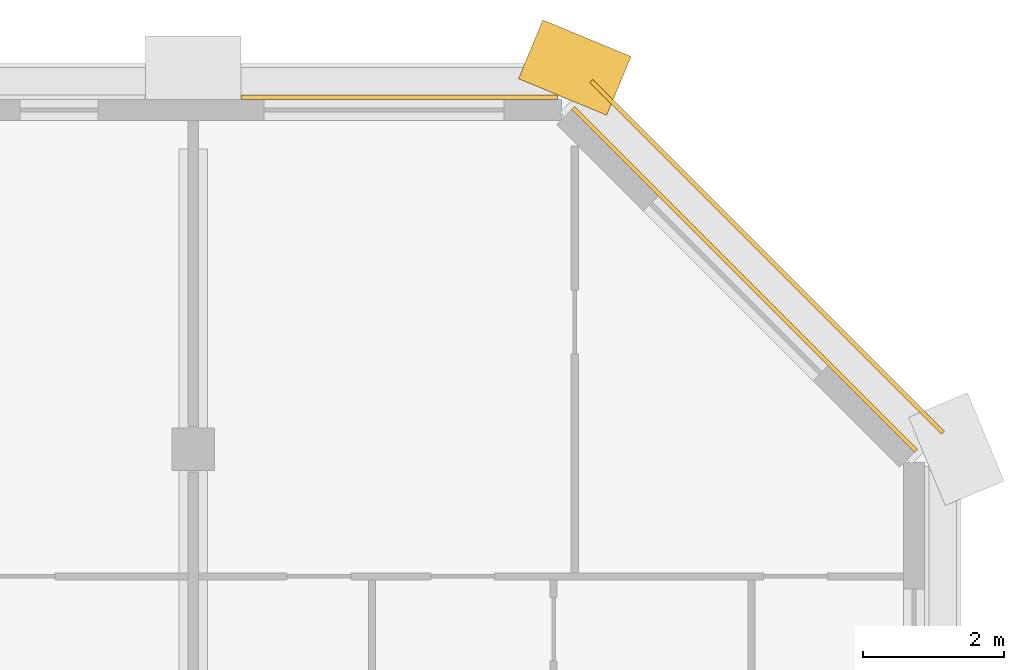
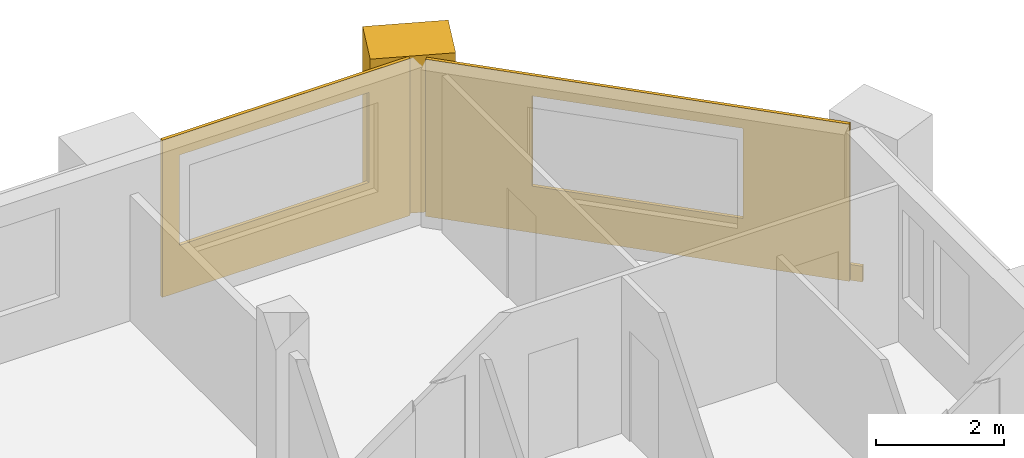
# One storey, part 13 of 13: 4 coverings.
"""IFC4 building model written with IfcOpenShell, lengths in metres."""

import ifcopenshell
import ifcopenshell.guid

model = None  # the IFC model being written
_history = None  # IfcOwnerHistory: only IFC2X3 demands one
_inside = {}  # id of a spatial element -> (the spatial element, [elements in it])
_under = {}  # id of a project, library or spatial element -> (it, [spatial elements below it])
_declared = {}  # id of a project -> (the project, [libraries it declares])
_typed = {}  # id of a type object -> (the type object, [elements of that type])
_made_of = {}  # id of a material, layer set ... -> (it, [elements and type objects made of it])


def new_model(schema):
    """Start an empty IFC model of exactly this schema.

    Asked for "IFC4X3", IfcOpenShell would pick the latest addendum, in which some entities
    have other attributes; the version numbers below select the first issue.
    IFC2X3 requires an IfcOwnerHistory on every rooted entity: one is made here for all.
    """
    global model, _history
    if schema == "IFC4X3":
        model = ifcopenshell.file(schema_version=(4, 3, 0, 0))
    else:
        model = ifcopenshell.file(schema=schema)
    _inside.clear()
    _under.clear()
    _declared.clear()
    _typed.clear()
    _made_of.clear()
    _history = None
    if model.schema == "IFC2X3":
        org = make("IfcOrganization", Name="unknown")
        user = make(
            "IfcPersonAndOrganization",
            ThePerson=make("IfcPerson", FamilyName="unknown"),
            TheOrganization=org,
        )
        app = make(
            "IfcApplication",
            ApplicationDeveloper=org,
            Version="unknown",
            ApplicationFullName="unknown",
            ApplicationIdentifier="unknown",
        )
        _history = make(
            "IfcOwnerHistory",
            OwningUser=user,
            OwningApplication=app,
            ChangeAction="ADDED",
            CreationDate=0,
        )
    return model


def make(cls, **values):
    """One entity of the class cls with the attributes given. An attribute that is None is left unset."""
    return model.create_entity(
        cls, **{name: value for name, value in values.items() if value is not None}
    )


def rooted(cls, **values):
    """An entity with a GlobalId (a new one), such as an element, a storey or a relation."""
    return make(cls, GlobalId=ifcopenshell.guid.new(), OwnerHistory=_history, **values)


def si_unit(unit_type, name, prefix=None):
    """IfcSIUnit, for example si_unit("LENGTHUNIT", "METRE", prefix="MILLI")."""
    return make("IfcSIUnit", UnitType=unit_type, Prefix=prefix, Name=name)


def assignment(units):
    """IfcUnitAssignment: the units of a project."""
    return None if units is None else make("IfcUnitAssignment", Units=units)


def point(xyz):
    """IfcCartesianPoint."""
    return None if xyz is None else make("IfcCartesianPoint", Coordinates=xyz)


def direction(xyz):
    """IfcDirection."""
    return None if xyz is None else make("IfcDirection", DirectionRatios=xyz)


def frame(location, z_axis=None, x_axis=None):
    """IfcAxis2Placement3D, a coordinate frame: its origin and axes. An axis left out is left unset."""
    return make(
        "IfcAxis2Placement3D",
        Location=point(location),
        Axis=direction(z_axis),
        RefDirection=direction(x_axis),
    )


def frame_2d(location, x_axis=None):
    """IfcAxis2Placement2D, a coordinate frame in the plane: its origin and x axis."""
    return make(
        "IfcAxis2Placement2D", Location=point(location), RefDirection=direction(x_axis)
    )


def origin():
    """The frame at (0, 0, 0) with its axes left unset."""
    return frame((0.0, 0.0, 0.0))


def place(relative_to, where):
    """IfcLocalPlacement: puts the frame where relative to a parent placement (None: the world)."""
    return make(
        "IfcLocalPlacement", PlacementRelTo=relative_to, RelativePlacement=where
    )


def context(
    kind, dimensions, precision=None, world=None, true_north=None, identifier=None
):
    """IfcGeometricRepresentationContext, for example the 3D "Model" context."""
    return make(
        "IfcGeometricRepresentationContext",
        ContextIdentifier=identifier,
        ContextType=kind,
        CoordinateSpaceDimension=dimensions,
        Precision=precision,
        WorldCoordinateSystem=world,
        TrueNorth=true_north,
    )


def subcontext(parent, identifier, kind, view, scale=None):
    """IfcGeometricRepresentationSubContext, for example "Body" below "Model"."""
    return make(
        "IfcGeometricRepresentationSubContext",
        ContextIdentifier=identifier,
        ContextType=kind,
        ParentContext=parent,
        TargetScale=scale,
        TargetView=view,
    )


def project(units=None, contexts=None):
    """IfcProject with its units and contexts."""
    return rooted(
        "IfcProject",
        Name="project",
        RepresentationContexts=contexts,
        UnitsInContext=assignment(units),
    )


def spatial(cls, under=None, at=None, **own):
    """A site, building, storey or space (cls), placed at a placement, below another one or the project."""
    s = rooted(cls, ObjectPlacement=at, **own)
    if under is not None:
        _under.setdefault(under.id(), (under, []))[1].append(s)
    return s


def polyline(points):
    """IfcPolyline through the points."""
    return make("IfcPolyline", Points=[point(p) for p in points])


def profile(cls, at=None, kind="AREA", **sizes):
    """A parametric profile (cls). Its sizes go by their IFC names, for example OverallWidth=200.0."""
    return make(cls, ProfileType=kind, Position=at, **sizes)


def rectangle(**sizes):
    """IfcRectangleProfileDef."""
    return profile("IfcRectangleProfileDef", **sizes)


def outline(outer, holes=None, kind="AREA"):
    """IfcArbitraryClosedProfileDef: a profile drawn as a closed curve; with holes, ...WithVoids."""
    if holes is None:
        return make("IfcArbitraryClosedProfileDef", ProfileType=kind, OuterCurve=outer)
    return make(
        "IfcArbitraryProfileDefWithVoids",
        ProfileType=kind,
        OuterCurve=outer,
        InnerCurves=holes,
    )


def extrude(swept, where, along, depth):
    """IfcExtrudedAreaSolid: the profile swept, set in the frame where, extruded along a direction by depth."""
    return make(
        "IfcExtrudedAreaSolid",
        SweptArea=swept,
        Position=where,
        ExtrudedDirection=direction(along),
        Depth=depth,
    )


def shape(context_of_items, identifier, shape_type, items):
    """IfcShapeRepresentation: the items that make up one representation, for example the "Body"."""
    return make(
        "IfcShapeRepresentation",
        ContextOfItems=context_of_items,
        RepresentationIdentifier=identifier,
        RepresentationType=shape_type,
        Items=items,
    )


def material(Name=None, Category=None):
    """IfcMaterial."""
    return make("IfcMaterial", Name=Name, Category=Category)


def layer(
    of_material, thickness, ventilated=None, Name=None, Category=None, Priority=None
):
    """IfcMaterialLayer: one layer of a wall or slab, of a material (None: an air gap)."""
    return make(
        "IfcMaterialLayer",
        Material=of_material,
        LayerThickness=thickness,
        IsVentilated=ventilated,
        Name=Name,
        Category=Category,
        Priority=Priority,
    )


def layer_set(layers, Name=None):
    """IfcMaterialLayerSet."""
    return make("IfcMaterialLayerSet", MaterialLayers=layers, LayerSetName=Name)


def made_of(thing, what):
    """Note that an element or type object is made of a material, layer set ...; save() writes the relation."""
    if what is not None:
        _made_of.setdefault(what.id(), (what, []))[1].append(thing)
    return thing


def type_object(cls, material=None, **own):
    """A type object (cls), such as IfcWallType, which elements share."""
    return made_of(rooted(cls, **own), material)


def element(
    cls,
    number,
    at=None,
    inside=None,
    cuts=None,
    type_object=None,
    material=None,
    context=None,
    identifier="Body",
    shape_type=None,
    held_by="IfcProductDefinitionShape",
    body=None,
    shapes=None,
    **own,
):
    """One element of the class cls, such as IfcWall. Its Tag is "e" and its number.

    at: its placement. inside: the storey or other place that contains it. cuts: it is an
    opening in that element (IfcRelVoidsElement). A single representation is given by context,
    identifier, shape_type and body (its items); several are given by shapes. held_by: the class
    of the entity that holds the representations. save() writes the other relations.
    """
    e = rooted(cls, Tag="e%d" % number, ObjectPlacement=at, **own)
    if body is not None:
        shapes = [shape(context, identifier, shape_type, body)]
    if shapes is not None:
        e.Representation = make(held_by, Representations=shapes)
    if inside is not None:
        _inside.setdefault(inside.id(), (inside, []))[1].append(e)
    if cuts is not None:
        rooted(
            "IfcRelVoidsElement", RelatingBuildingElement=cuts, RelatedOpeningElement=e
        )
    if type_object is not None:
        _typed.setdefault(type_object.id(), (type_object, []))[1].append(e)
    return made_of(e, material)


def aggregate(whole, parts):
    """IfcRelAggregates: a whole, such as a stair, and the parts it consists of."""
    return rooted("IfcRelAggregates", RelatingObject=whole, RelatedObjects=parts)


def save(model, path):
    """Write the relations noted so far, then the file.

    IfcRelAggregates (storeys below a building ...), IfcRelContainedInSpatialStructure (elements
    in a storey), IfcRelDefinesByType, IfcRelAssociatesMaterial and IfcRelDeclares: one each for
    every whole, place, type object, material and project.
    """
    for whole, parts in _under.values():
        aggregate(whole, parts)
    for where, things in _inside.values():
        rooted(
            "IfcRelContainedInSpatialStructure",
            RelatedElements=things,
            RelatingStructure=where,
        )
    for kind, things in _typed.values():
        rooted("IfcRelDefinesByType", RelatedObjects=things, RelatingType=kind)
    for what, things in _made_of.values():
        rooted("IfcRelAssociatesMaterial", RelatedObjects=things, RelatingMaterial=what)
    for by, libraries in _declared.values():
        rooted("IfcRelDeclares", RelatingContext=by, RelatedDefinitions=libraries)
    model.write(path)


model = new_model("IFC4")

# Units and contexts
model_context = context("Model", 3, precision=1e-05, world=origin(), true_north=direction((0.0, 1.0)))
body_context = subcontext(model_context, "Body", "Model", "MODEL_VIEW")
ifc_project = project(units=[si_unit("LENGTHUNIT", "METRE"), si_unit("AREAUNIT", "SQUARE_METRE"), si_unit("VOLUMEUNIT", "CUBIC_METRE"), si_unit("PLANEANGLEUNIT", "RADIAN"), si_unit("MASSUNIT", "GRAM", prefix="KILO")], contexts=[model_context])

# Site, building, storey
site_placement = place(None, origin())
site = spatial("IfcSite", under=ifc_project, at=site_placement, CompositionType="ELEMENT")
building_placement = place(site_placement, origin())
building = spatial("IfcBuilding", under=site, at=building_placement, Name="Tabaq Tower and Sports Hall", CompositionType="ELEMENT")
storey_placement = place(building_placement, frame((0.0, 0.0, 295.0)))
storey = spatial("IfcBuildingStorey", under=building, at=storey_placement, Name="L73", CompositionType="ELEMENT", Elevation=295.0)

# Coverings
ifc_material_1 = material(Name="Precast concrete C60/75", Category="concrete")
ifc_layer_1 = layer(ifc_material_1, 0.06005859375)
ifc_layer_set_1 = layer_set([ifc_layer_1], Name="Edge beam cladding 60")
covering_type_1 = type_object("IfcCoveringType", Name="Edge beam cladding 60", PredefinedType="CLADDING", material=ifc_layer_set_1)
covering_1_placement = place(storey_placement, frame((48.41015625, 43.432373046875, -0.300048828125), z_axis=(0.0, 0.0, 1.0), x_axis=(-0.707106781187, 0.707106781187, 0.0)))
element("IfcCovering", 1, at=covering_1_placement, inside=storey, type_object=covering_type_1, Name="Edge beam cladding L73 3", PredefinedType="CLADDING", context=body_context, shape_type="SweptSolid", body=[
    extrude(rectangle(XDim=7.03955078125, YDim=0.06005859375, at=frame_2d((3.519775390625, 0.0))), origin(), (0.0, 0.0, 1.0), 0.300048828125),
])
ifc_material_2 = material(Name="White precast concrete C60/75", Category="concrete")
covering_type_2 = type_object("IfcCoveringType", Name="Pier cladding hung 1350x900", PredefinedType="CLADDING", material=ifc_material_2)
covering_2_placement = place(storey_placement, frame((43.82373046875, 48.341796875, 0.0), z_axis=(0.0, 0.0, 1.0), x_axis=(-0.923893411637, 0.382649923473, 0.0)))
element("IfcCovering", 2, at=covering_2_placement, inside=storey, type_object=covering_type_2, Name="Hung pier cladding 8/9", PredefinedType="CLADDING", context=body_context, shape_type="SweptSolid", body=[
    extrude(rectangle(XDim=1.35009765625, YDim=0.89990234375, at=frame_2d((0.675048828125, 0.0))), origin(), (0.0, 0.0, 1.0), 3.0),
])
ifc_material_3 = material(Name="Precast concrete C60/75", Category="concrete")
ifc_layer_2 = layer(ifc_material_3, 0.06005859375)
ifc_layer_set_2 = layer_set([ifc_layer_2], Name="White precast cladding panel 60 C60/75")
covering_type_3 = type_object("IfcCoveringType", Name="White precast cladding panel 60 C60/75", PredefinedType="CLADDING", material=ifc_layer_set_2)
covering_3_placement = place(storey_placement, frame((48.0283203125, 43.177734375, 0.0), z_axis=(0.0, 0.0, 1.0), x_axis=(-0.707106781187, 0.707106781187, 0.0)))
element("IfcCovering", 3, at=covering_3_placement, inside=storey, type_object=covering_type_3, Name="White precast cladding panel L73 wall03", PredefinedType="CLADDING", context=body_context, shape_type="SweptSolid", body=[
    extrude(outline(polyline([(0.0, 0.0), (6.85986328125, 0.0), (6.85986328125, 3.0), (0.0, 3.0), (0.0, 0.0)]), holes=[polyline([(1.7197265625, 0.889892578125), (1.7197265625, 2.610107421875), (5.139892578125, 2.610107421875), (5.139892578125, 0.889892578125), (1.7197265625, 0.889892578125)])]), frame((0.0, 0.030029296875, 0.0), z_axis=(0.0, -1.0, 0.0), x_axis=(1.0, 0.0, 0.0)), (0.0, 0.0, 1.0), 0.06005859375),
])
covering_4_placement = place(storey_placement, frame((42.956787109375, 48.179931640625, 0.0), z_axis=(0.0, 0.0, 1.0), x_axis=(-1.0, 0.0, 0.0)))
element("IfcCovering", 4, at=covering_4_placement, inside=storey, type_object=covering_type_3, Name="White precast cladding panel L73 wall04", PredefinedType="CLADDING", context=body_context, shape_type="SweptSolid", body=[
    extrude(outline(polyline([(0.0, 0.0), (4.4716796875, 0.0), (4.4716796875, 3.0), (0.0, 3.0), (0.0, 0.0)]), holes=[polyline([(0.746826171875, 0.889892578125), (0.746826171875, 2.610107421875), (4.166748046875, 2.610107421875), (4.166748046875, 0.889892578125), (0.746826171875, 0.889892578125)])]), frame((0.0, 0.030029296875, 0.0), z_axis=(0.0, -1.0, 0.0), x_axis=(1.0, 0.0, 0.0)), (0.0, 0.0, 1.0), 0.06005859375),
])

save(model, "model.ifc")
